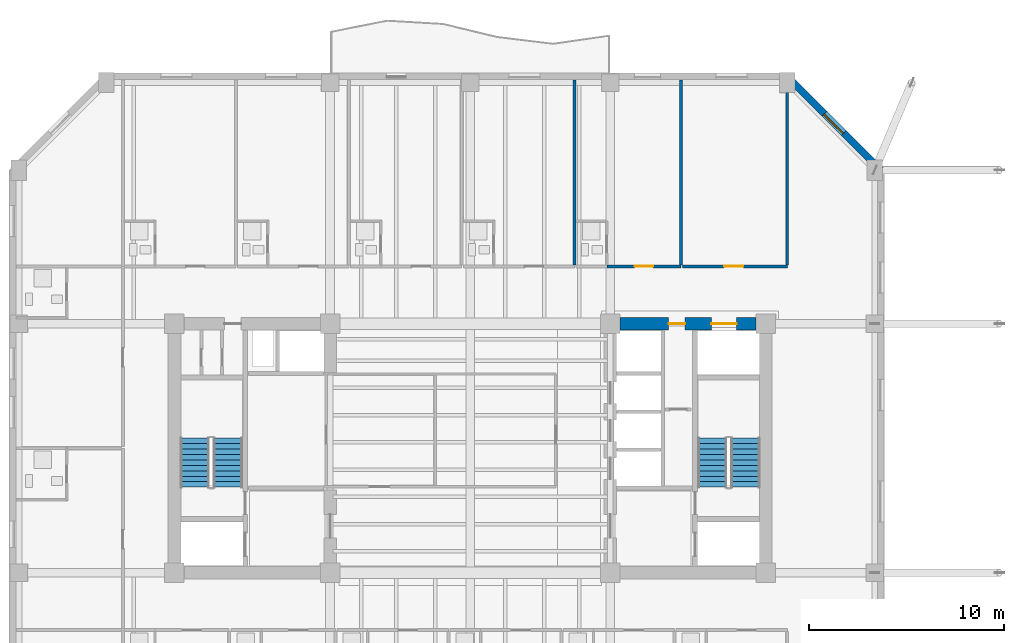
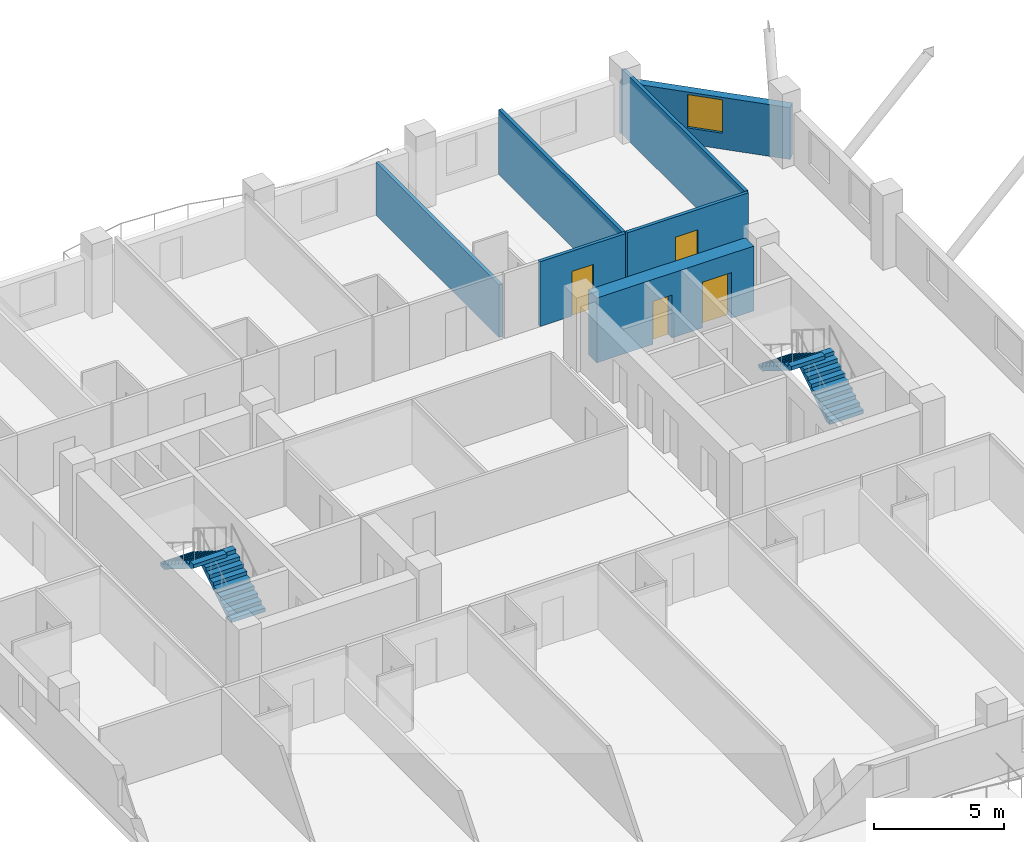
# One storey, part 9 of 14: 7 walls, 4 doors, 4 stair flights, 1 window, 5 openings, 2 elements without a shape of their own.
"""IFC4 building model written with IfcOpenShell, lengths in metres."""

from ifc_helpers import new_model, si_unit, direction, frame, frame_2d, origin, place, context, subcontext, project, spatial, polyline, rectangle, outline, extrude, material, layer, layer_set, type_object, element, fill, aggregate, save


model = new_model("IFC4")

# Units and contexts
model_context = context("Model", 3, precision=1e-05, world=origin(), true_north=direction((0.0, 1.0)))
body_context = subcontext(model_context, "Body", "Model", "MODEL_VIEW")
ifc_project = project(units=[si_unit("LENGTHUNIT", "METRE"), si_unit("AREAUNIT", "SQUARE_METRE"), si_unit("VOLUMEUNIT", "CUBIC_METRE"), si_unit("PLANEANGLEUNIT", "RADIAN"), si_unit("MASSUNIT", "GRAM", prefix="KILO")], contexts=[model_context])

# Site, building, storey
site_placement = place(None, origin())
site = spatial("IfcSite", under=ifc_project, at=site_placement, CompositionType="ELEMENT")
building_placement = place(site_placement, origin())
building = spatial("IfcBuilding", under=site, at=building_placement, Name="Kranthara Brick Stack", CompositionType="ELEMENT")
storey_placement = place(building_placement, frame((0.0, 0.0, 137.800048828125)))
storey = spatial("IfcBuildingStorey", under=building, at=storey_placement, Name="L34", CompositionType="ELEMENT", Elevation=137.800048828125)

# Wall, opening, window
ifc_material_1 = material(Name="Kiln-fired clay brick masonry M15", Category="masonry")
ifc_layer_1 = layer(ifc_material_1, 0.35009765625)
ifc_layer_set_1 = layer_set([ifc_layer_1], Name="Kiln-fired clay brick masonry M15")
wall_type_1 = type_object("IfcWallType", Name="WL-BRK-SPND-350", PredefinedType="STANDARD", material=ifc_layer_set_1)
wall_1_placement = place(storey_placement, frame((44.300048828125, 46.304931640625, 0.0), z_axis=(0.0, 0.0, 1.0), x_axis=(0.707106781187, -0.707106781187, 0.0)))
wall_1 = element("IfcWall", 1, at=wall_1_placement, inside=storey, type_object=wall_type_1, Name="L34 Exterior Brick Facade Wall NE 1", PredefinedType="STANDARD", context=body_context, shape_type="SweptSolid", body=[
    extrude(rectangle(XDim=6.795166015625, YDim=0.35009765625, at=frame_2d((3.3974609375, 0.0))), origin(), (0.0, 0.0, 1.0), 2.43505859375),
])
opening_1_placement = place(wall_1_placement, frame((2.697998046875, 0.0, 0.75)))
opening_1 = element("IfcOpeningElement", 2, at=opening_1_placement, cuts=wall_1, Name="Opening WN10", PredefinedType="OPENING", context=body_context, shape_type="SweptSolid", body=[
    extrude(rectangle(XDim=1.39990234375, YDim=1.56494140625, at=frame_2d((0.699951171875, 0.782470703125))), frame((0.0, 0.18505859375, 0.0), z_axis=(0.0, -1.0, 0.0), x_axis=(1.0, 0.0, 0.0)), (0.0, 0.0, 1.0), 0.3701171875),
])
ifc_material_2 = material(Name="Double-glazed low-E solar control glass", Category="glass")
window_type = type_object("IfcWindowType", Name="WN-CHM-1400x1750", PartitioningType="SINGLE_PANEL", PredefinedType="WINDOW", material=ifc_material_2)
window_placement = place(opening_1_placement, origin())
window = element("IfcWindow", 3, at=window_placement, inside=storey, type_object=window_type, Name="L34 NE Chamfer Corner Window", OverallHeight=1.56494140625, OverallWidth=1.39990234375, PartitioningType="SINGLE_PANEL", PredefinedType="WINDOW", context=body_context, shape_type="SweptSolid", body=[
    extrude(rectangle(XDim=1.39990234375, YDim=1.56494140625, at=frame_2d((0.699951171875, 0.782470703125))), frame((0.0, -0.010009765625, 0.0), z_axis=(0.0, -1.0, 0.0), x_axis=(1.0, 0.0, 0.0)), (0.0, 0.0, 1.0), 0.06005859375),
])
fill(opening_1, window)

# Wall, openings, doors
ifc_material_3 = material(Name="Concrete C60/75", Category="concrete")
ifc_layer_2 = layer(ifc_material_3, 0.64990234375)
ifc_layer_set_2 = layer_set([ifc_layer_2], Name="Concrete C60/75")
wall_type_2 = type_object("IfcWallType", Name="WL-CORE-650", PredefinedType="SHEAR", material=ifc_layer_set_2)
wall_2_placement = place(storey_placement, frame((35.705078125, 33.60009765625, 0.0), z_axis=(0.0, 0.0, 1.0), x_axis=(1.0, 0.0, 0.0)))
wall_2 = element("IfcWall", 4, at=wall_2_placement, inside=storey, type_object=wall_type_2, Name="L34 East Core Shear Wall North", PredefinedType="SHEAR", context=body_context, shape_type="SweptSolid", body=[
    extrude(rectangle(XDim=6.989990234375, YDim=0.64990234375, at=frame_2d((3.4951171875, 0.0))), origin(), (0.0, 0.0, 1.0), 3.050048828125),
])
opening_2_placement = place(wall_2_placement, frame((4.695068359375, 0.0, 0.0)))
opening_2 = element("IfcOpeningElement", 5, at=opening_2_placement, cuts=wall_2, Name="Opening LD03", PredefinedType="OPENING", context=body_context, shape_type="SweptSolid", body=[
    extrude(rectangle(XDim=1.300048828125, YDim=2.14990234375, at=frame_2d((0.64990234375, 1.074951171875))), frame((0.0, 0.3349609375, 0.0), z_axis=(0.0, -1.0, 0.0), x_axis=(1.0, 0.0, 0.0)), (0.0, 0.0, 1.0), 0.669921875),
])
opening_3_placement = place(wall_2_placement, frame((2.4951171875, 0.0, 0.0)))
opening_3 = element("IfcOpeningElement", 6, at=opening_3_placement, cuts=wall_2, Name="Opening D10", PredefinedType="OPENING", context=body_context, shape_type="SweptSolid", body=[
    extrude(rectangle(XDim=0.85009765625, YDim=2.02001953125, at=frame_2d((0.425048828125, 1.010009765625))), frame((0.0, 0.3349609375, 0.0), z_axis=(0.0, -1.0, 0.0), x_axis=(1.0, 0.0, 0.0)), (0.0, 0.0, 1.0), 0.669921875),
])
ifc_material_4 = material(Name="Stainless steel sliding landing door", Category="steel")
door_type_1 = type_object("IfcDoorType", Name="DR-LD-SV1300", OperationType="DOUBLE_DOOR_SLIDING", PredefinedType="DOOR", material=ifc_material_4)
door_1_placement = place(opening_2_placement, origin())
door_1 = element("IfcDoor", 7, at=door_1_placement, inside=storey, type_object=door_type_1, Name="L34 Stretcher Service Lift SV-01 Landing Door", OperationType="DOUBLE_DOOR_SLIDING", OverallHeight=2.14990234375, OverallWidth=1.300048828125, PredefinedType="DOOR", context=body_context, shape_type="SweptSolid", body=[
    extrude(rectangle(XDim=1.300048828125, YDim=2.14990234375, at=frame_2d((0.64990234375, 1.074951171875))), frame((0.0, 0.02490234375, 0.0), z_axis=(0.0, -1.0, 0.0), x_axis=(1.0, 0.0, 0.0)), (0.0, 0.0, 1.0), 0.050048828125),
])
fill(opening_2, door_1)
ifc_material_5 = material(Name="Solid-core hardwood timber leaf in steel frame", Category="steel")
door_type_2 = type_object("IfcDoorType", Name="DR-RSR-850", OperationType="NOTDEFINED", PredefinedType="DOOR", material=ifc_material_5)
door_2_placement = place(opening_3_placement, origin())
door_2 = element("IfcDoor", 8, at=door_2_placement, inside=storey, type_object=door_type_2, Name="L34 East Core Service Room Door", OperationType="SINGLE_SWING_LEFT", OverallHeight=2.02001953125, OverallWidth=0.85009765625, PredefinedType="DOOR", context=body_context, shape_type="SweptSolid", body=[
    extrude(rectangle(XDim=0.85009765625, YDim=2.02001953125, at=frame_2d((0.425048828125, 1.010009765625))), frame((0.0, 0.02490234375, 0.0), z_axis=(0.0, -1.0, 0.0), x_axis=(1.0, 0.0, 0.0)), (0.0, 0.0, 1.0), 0.050048828125),
])
fill(opening_3, door_2)

# Wall
ifc_material_6 = material(Name="Fire-rated gypsum board partition", Category="other")
ifc_layer_3 = layer(ifc_material_6, 0.14990234375)
ifc_layer_set_3 = layer_set([ifc_layer_3], Name="Fire-rated gypsum board partition")
wall_type_3 = type_object("IfcWallType", Name="WL-PART-150", PredefinedType="PARTITIONING", material=ifc_layer_set_3)
wall_3_placement = place(storey_placement, frame((33.3720703125, 36.6298828125, 0.0), z_axis=(0.0, 0.0, 1.0), x_axis=(0.0, 1.0, 0.0)))
element("IfcWall", 9, at=wall_3_placement, inside=storey, type_object=wall_type_3, Name="L34 Interior Partition 060", PredefinedType="PARTITIONING", context=body_context, shape_type="SweptSolid", body=[
    extrude(rectangle(XDim=9.4951171875, YDim=0.14990234375, at=frame_2d((4.74755859375, 0.0))), origin(), (0.0, 0.0, 1.0), 2.48486328125),
])

# Wall, opening, door
wall_4_placement = place(storey_placement, frame((35.02197265625, 36.550048828125, 0.0), z_axis=(0.0, 0.0, 1.0), x_axis=(1.0, 0.0, 0.0)))
wall_4 = element("IfcWall", 10, at=wall_4_placement, inside=storey, type_object=wall_type_3, Name="L34 Interior Partition 062", PredefinedType="PARTITIONING", context=body_context, shape_type="SweptSolid", body=[
    extrude(rectangle(XDim=3.81396484375, YDim=0.14990234375, at=frame_2d((1.906982421875, 0.0))), origin(), (0.0, 0.0, 1.0), 3.050048828125),
])
opening_4_placement = place(wall_4_placement, frame((1.427001953125, 0.0, 0.0)))
opening_4 = element("IfcOpeningElement", 11, at=opening_4_placement, cuts=wall_4, Name="Opening D09", PredefinedType="OPENING", context=body_context, shape_type="SweptSolid", body=[
    extrude(rectangle(XDim=0.949951171875, YDim=2.10009765625, at=frame_2d((0.47509765625, 1.050048828125))), frame((0.0, 0.0849609375, 0.0), z_axis=(0.0, -1.0, 0.0), x_axis=(1.0, 0.0, 0.0)), (0.0, 0.0, 1.0), 0.169921875),
])
ifc_material_7 = material(Name="Solid-core hardwood timber leaf in steel frame", Category="steel")
door_type_3 = type_object("IfcDoorType", Name="DR-FD-950", OperationType="NOTDEFINED", PredefinedType="DOOR", material=ifc_material_7)
door_3_placement = place(opening_4_placement, origin())
door_3 = element("IfcDoor", 12, at=door_3_placement, inside=storey, type_object=door_type_3, Name="L34 Key 11 Entry 28", OperationType="SINGLE_SWING_RIGHT", OverallHeight=2.10009765625, OverallWidth=0.949951171875, PredefinedType="DOOR", context=body_context, shape_type="SweptSolid", body=[
    extrude(rectangle(XDim=0.949951171875, YDim=2.10009765625, at=frame_2d((0.47509765625, 1.050048828125))), frame((0.0, 0.02490234375, 0.0), z_axis=(0.0, -1.0, 0.0), x_axis=(1.0, 0.0, 0.0)), (0.0, 0.0, 1.0), 0.050048828125),
])
fill(opening_4, door_3)

# Wall
wall_5_placement = place(storey_placement, frame((38.8359375, 36.6298828125, 0.0), z_axis=(0.0, 0.0, 1.0), x_axis=(0.0, 1.0, 0.0)))
element("IfcWall", 13, at=wall_5_placement, inside=storey, type_object=wall_type_3, Name="L34 Interior Partition 065", PredefinedType="PARTITIONING", context=body_context, shape_type="SweptSolid", body=[
    extrude(rectangle(XDim=9.4951171875, YDim=0.14990234375, at=frame_2d((4.74755859375, 0.0))), origin(), (0.0, 0.0, 1.0), 3.050048828125),
])

# Wall, opening, door
wall_6_placement = place(storey_placement, frame((38.916015625, 36.550048828125, 0.0), z_axis=(0.0, 0.0, 1.0), x_axis=(1.0, 0.0, 0.0)))
wall_6 = element("IfcWall", 14, at=wall_6_placement, inside=storey, type_object=wall_type_3, Name="L34 Interior Partition 066", PredefinedType="PARTITIONING", context=body_context, shape_type="SweptSolid", body=[
    extrude(rectangle(XDim=5.384033203125, YDim=0.14990234375, at=frame_2d((2.69189453125, 0.0))), origin(), (0.0, 0.0, 1.0), 3.050048828125),
])
opening_5_placement = place(wall_6_placement, frame((2.132080078125, 0.0, 0.0)))
opening_5 = element("IfcOpeningElement", 15, at=opening_5_placement, cuts=wall_6, Name="Opening D08", PredefinedType="OPENING", context=body_context, shape_type="SweptSolid", body=[
    extrude(rectangle(XDim=1.0, YDim=2.10009765625, at=frame_2d((0.5, 1.050048828125))), frame((0.0, 0.0849609375, 0.0), z_axis=(0.0, -1.0, 0.0), x_axis=(1.0, 0.0, 0.0)), (0.0, 0.0, 1.0), 0.169921875),
])
ifc_material_8 = material(Name="Solid-core hardwood timber leaf in steel frame", Category="steel")
door_type_4 = type_object("IfcDoorType", Name="DR-FD-1000", OperationType="NOTDEFINED", PredefinedType="DOOR", material=ifc_material_8)
door_4_placement = place(opening_5_placement, origin())
door_4 = element("IfcDoor", 16, at=door_4_placement, inside=storey, type_object=door_type_4, Name="L34 Guest Lounge 29", OperationType="SINGLE_SWING_LEFT", OverallHeight=2.10009765625, OverallWidth=1.0, PredefinedType="DOOR", context=body_context, shape_type="SweptSolid", body=[
    extrude(rectangle(XDim=1.0, YDim=2.10009765625, at=frame_2d((0.5, 1.050048828125))), frame((0.0, 0.02490234375, 0.0), z_axis=(0.0, -1.0, 0.0), x_axis=(1.0, 0.0, 0.0)), (0.0, 0.0, 1.0), 0.050048828125),
])
fill(opening_5, door_4)

# Wall
wall_7_placement = place(storey_placement, frame((44.300048828125, 36.6298828125, 0.0), z_axis=(0.0, 0.0, 1.0), x_axis=(0.0, 1.0, 0.0)))
element("IfcWall", 17, at=wall_7_placement, inside=storey, type_object=wall_type_3, Name="L34 Interior Partition 067", PredefinedType="PARTITIONING", context=body_context, shape_type="SweptSolid", body=[
    extrude(rectangle(XDim=9.4951171875, YDim=0.14990234375, at=frame_2d((4.74755859375, 0.0))), origin(), (0.0, 0.0, 1.0), 3.050048828125),
])

# Stair, stair flights
ifc_material_9 = material(Name="Concrete C45/55", Category="concrete")
stair_type = type_object("IfcStairType", Name="ST-CORE-20R", PredefinedType="HALF_TURN_STAIR", material=ifc_material_9)
stair_1_placement = place(storey_placement, origin())
stair_1 = element("IfcStair", 18, at=stair_1_placement, inside=storey, type_object=stair_type, Name="L34 West Core Protected Exit Stair ST01", PredefinedType="HALF_TURN_STAIR")
ifc_material_10 = material(Name="Concrete C45/55", Category="concrete")
stair_flight_type = type_object("IfcStairFlightType", Name="SFL-RC-20R", PredefinedType="STRAIGHT", material=ifc_material_10)
stair_flight_1_placement = place(storey_placement, frame((15.550048828125, 25.199951171875, 0.0), z_axis=(0.0, 0.0, 1.0), x_axis=(0.0, 1.0, 0.0)))
stair_flight_1 = element("IfcStairFlight", 19, at=stair_flight_1_placement, type_object=stair_flight_type, Name="ST01 flight 1", NumberOfRisers=10, NumberOfTreads=9, PredefinedType="STRAIGHT", RiserHeight=0.175, TreadLength=0.28, context=body_context, shape_type="SweptSolid", body=[
    extrude(outline(polyline([(0.0, 0.0), (0.0, 0.175048828125), (0.280029296875, 0.175048828125), (0.280029296875, 0.35009765625), (0.56005859375, 0.35009765625), (0.56005859375, 0.52490234375), (0.840087890625, 0.52490234375), (0.840087890625, 0.699951171875), (1.1201171875, 0.699951171875), (1.1201171875, 0.875), (1.39990234375, 0.875), (1.39990234375, 1.050048828125), (1.679931640625, 1.050048828125), (1.679931640625, 1.22509765625), (1.9599609375, 1.22509765625), (1.9599609375, 1.39990234375), (2.239990234375, 1.39990234375), (2.239990234375, 1.574951171875), (2.52001953125, 1.574951171875), (2.52001953125, 1.75), (2.52001953125, 1.398193359375), (0.28271484375, 0.0), (0.0, 0.0)])), frame((0.0, 0.75, 0.0), z_axis=(0.0, -1.0, 0.0), x_axis=(1.0, 0.0, 0.0)), (0.0, 0.0, 1.0), 1.5),
])
stair_flight_2_placement = place(storey_placement, frame((13.85009765625, 27.719970703125, 1.75), z_axis=(0.0, 0.0, 1.0), x_axis=(0.0, -1.0, 0.0)))
stair_flight_2 = element("IfcStairFlight", 20, at=stair_flight_2_placement, type_object=stair_flight_type, Name="ST01 flight 2", NumberOfRisers=10, NumberOfTreads=9, PredefinedType="STRAIGHT", RiserHeight=0.175, TreadLength=0.28, context=body_context, shape_type="SweptSolid", body=[
    extrude(outline(polyline([(0.0, 0.0), (0.0, 0.175048828125), (0.280029296875, 0.175048828125), (0.280029296875, 0.35009765625), (0.56005859375, 0.35009765625), (0.56005859375, 0.52490234375), (0.840087890625, 0.52490234375), (0.840087890625, 0.699951171875), (1.1201171875, 0.699951171875), (1.1201171875, 0.875), (1.39990234375, 0.875), (1.39990234375, 1.050048828125), (1.679931640625, 1.050048828125), (1.679931640625, 1.22509765625), (1.9599609375, 1.22509765625), (1.9599609375, 1.39990234375), (2.239990234375, 1.39990234375), (2.239990234375, 1.574951171875), (2.52001953125, 1.574951171875), (2.52001953125, 1.75), (2.52001953125, 1.398193359375), (0.28271484375, 0.0), (0.0, 0.0)])), frame((0.0, 0.75, 0.0), z_axis=(0.0, -1.0, 0.0), x_axis=(1.0, 0.0, 0.0)), (0.0, 0.0, 1.0), 1.5),
])
aggregate(stair_1, [stair_flight_1, stair_flight_2])

stair_2_placement = place(storey_placement, origin())
stair_2 = element("IfcStair", 21, at=stair_2_placement, inside=storey, type_object=stair_type, Name="L34 East Core Protected Exit Stair ST02", PredefinedType="HALF_TURN_STAIR")
stair_flight_3_placement = place(storey_placement, frame((42.14990234375, 25.199951171875, 0.0), z_axis=(0.0, 0.0, 1.0), x_axis=(0.0, 1.0, 0.0)))
stair_flight_3 = element("IfcStairFlight", 22, at=stair_flight_3_placement, type_object=stair_flight_type, Name="ST02 flight 1", NumberOfRisers=10, NumberOfTreads=9, PredefinedType="STRAIGHT", RiserHeight=0.175, TreadLength=0.28, context=body_context, shape_type="SweptSolid", body=[
    extrude(outline(polyline([(0.0, 0.0), (0.0, 0.175048828125), (0.280029296875, 0.175048828125), (0.280029296875, 0.35009765625), (0.56005859375, 0.35009765625), (0.56005859375, 0.52490234375), (0.840087890625, 0.52490234375), (0.840087890625, 0.699951171875), (1.1201171875, 0.699951171875), (1.1201171875, 0.875), (1.39990234375, 0.875), (1.39990234375, 1.050048828125), (1.679931640625, 1.050048828125), (1.679931640625, 1.22509765625), (1.9599609375, 1.22509765625), (1.9599609375, 1.39990234375), (2.239990234375, 1.39990234375), (2.239990234375, 1.574951171875), (2.52001953125, 1.574951171875), (2.52001953125, 1.75), (2.52001953125, 1.398193359375), (0.28271484375, 0.0), (0.0, 0.0)])), frame((0.0, 0.75, 0.0), z_axis=(0.0, -1.0, 0.0), x_axis=(1.0, 0.0, 0.0)), (0.0, 0.0, 1.0), 1.5),
])
stair_flight_4_placement = place(storey_placement, frame((40.449951171875, 27.719970703125, 1.75), z_axis=(0.0, 0.0, 1.0), x_axis=(0.0, -1.0, 0.0)))
stair_flight_4 = element("IfcStairFlight", 23, at=stair_flight_4_placement, type_object=stair_flight_type, Name="ST02 flight 2", NumberOfRisers=10, NumberOfTreads=9, PredefinedType="STRAIGHT", RiserHeight=0.175, TreadLength=0.28, context=body_context, shape_type="SweptSolid", body=[
    extrude(outline(polyline([(0.0, 0.0), (0.0, 0.175048828125), (0.280029296875, 0.175048828125), (0.280029296875, 0.35009765625), (0.56005859375, 0.35009765625), (0.56005859375, 0.52490234375), (0.840087890625, 0.52490234375), (0.840087890625, 0.699951171875), (1.1201171875, 0.699951171875), (1.1201171875, 0.875), (1.39990234375, 0.875), (1.39990234375, 1.050048828125), (1.679931640625, 1.050048828125), (1.679931640625, 1.22509765625), (1.9599609375, 1.22509765625), (1.9599609375, 1.39990234375), (2.239990234375, 1.39990234375), (2.239990234375, 1.574951171875), (2.52001953125, 1.574951171875), (2.52001953125, 1.75), (2.52001953125, 1.398193359375), (0.28271484375, 0.0), (0.0, 0.0)])), frame((0.0, 0.75, 0.0), z_axis=(0.0, -1.0, 0.0), x_axis=(1.0, 0.0, 0.0)), (0.0, 0.0, 1.0), 1.5),
])
aggregate(stair_2, [stair_flight_3, stair_flight_4])

save(model, "model.ifc")
